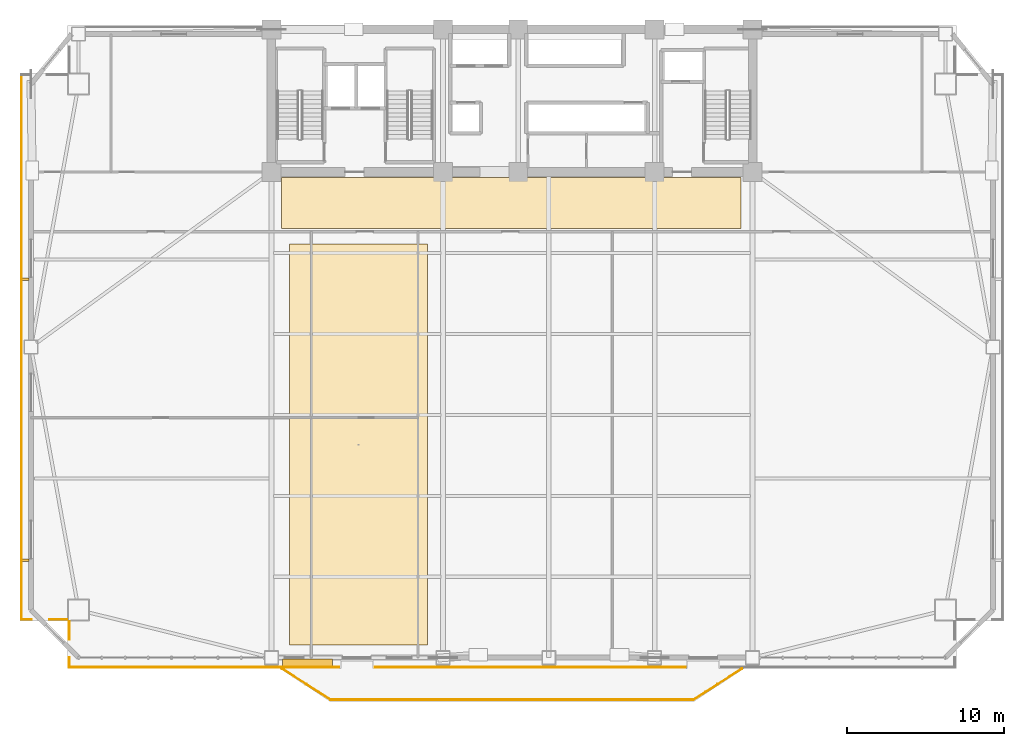
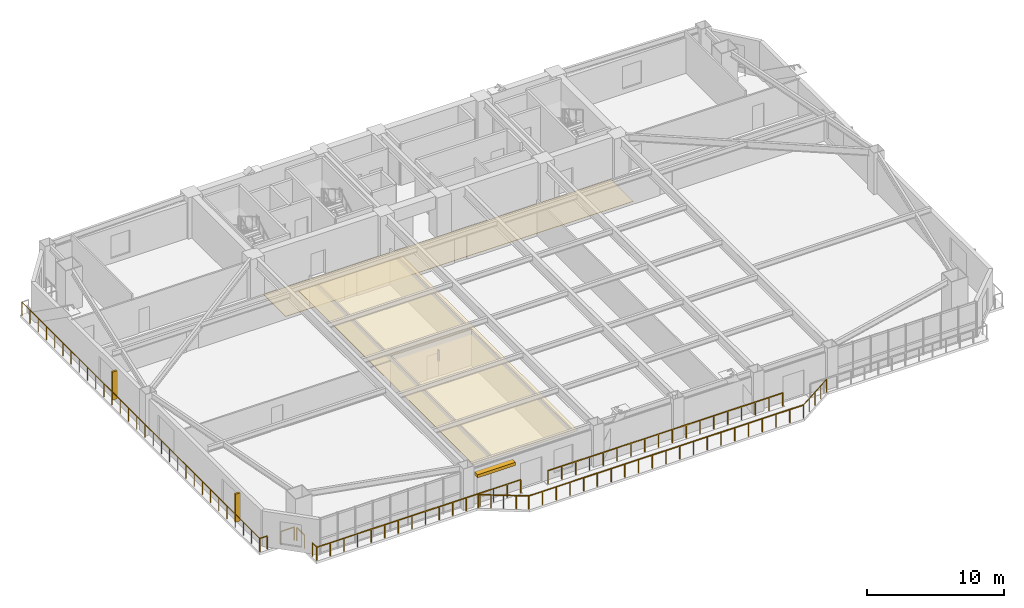
# One storey, part 12 of 15: 10 railings, 3 shading devices, 2 coverings.
"""IFC4 building model written with IfcOpenShell, lengths in metres."""

from ifc_helpers import new_model, si_unit, direction, frame, origin, origin_2d, place, context, subcontext, project, spatial, polyline, rectangle, outline, extrude, source, transform, mapped, material, layer, layer_set, type_object, element, save


model = new_model("IFC4")

# Units and contexts
model_context = context("Model", 3, precision=1e-05, world=origin(), true_north=direction((0.0, 1.0)))
body_context = subcontext(model_context, "Body", "Model", "MODEL_VIEW")
ifc_project = project(units=[si_unit("LENGTHUNIT", "METRE"), si_unit("AREAUNIT", "SQUARE_METRE"), si_unit("VOLUMEUNIT", "CUBIC_METRE"), si_unit("PLANEANGLEUNIT", "RADIAN"), si_unit("MASSUNIT", "GRAM", prefix="KILO")], contexts=[model_context])

# Site, building, storey
site_placement = place(None, origin())
site = spatial("IfcSite", under=ifc_project, at=site_placement, CompositionType="ELEMENT")
building_placement = place(site_placement, origin())
building = spatial("IfcBuilding", under=site, at=building_placement, Name="Giltprow Tower", CompositionType="ELEMENT")
storey_placement = place(building_placement, frame((0.0, 0.0, 99.699951171875)))
storey = spatial("IfcBuildingStorey", under=building, at=storey_placement, Name="L24", CompositionType="ELEMENT", Elevation=99.699951171875)

# Coverings
ifc_material_1 = material(Name="Acoustic mineral fibre", Category="gypsum")
ifc_layer_1 = layer(ifc_material_1, 0.030029296875, Name="Acoustic mineral fibre")
ifc_layer_set_1 = layer_set([ifc_layer_1], Name="Acoustic mineral fibre")
covering_type_1 = type_object("IfcCoveringType", Name="COV-CLG-ACOUSTIC", PredefinedType="CEILING", material=ifc_layer_set_1)
covering_1_placement = place(storey_placement, frame((0.0, 0.0, 2.719970703125)))
element("IfcCovering", 1, at=covering_1_placement, inside=storey, type_object=covering_type_1, Name="L24 Office Acoustic Ceiling", PredefinedType="CEILING", context=body_context, shape_type="SweptSolid", body=[
    extrude(outline(polyline([(21.0, 7.261962890625), (29.800048828125, 7.261962890625), (29.800048828125, 32.85009765625), (21.0, 32.85009765625), (21.0, 7.261962890625)])), origin(), (0.0, 0.0, 1.0), 0.030029296875),
])
ifc_material_2 = material(Name="Honed granite", Category="masonry")
ifc_layer_2 = layer(ifc_material_2, 0.030029296875, Name="Honed granite")
ifc_layer_set_2 = layer_set([ifc_layer_2], Name="Honed granite")
covering_type_2 = type_object("IfcCoveringType", Name="COV-FLR-STONE", PredefinedType="FLOORING", material=ifc_layer_set_2)
covering_2_placement = place(storey_placement, origin())
element("IfcCovering", 2, at=covering_2_placement, inside=storey, type_object=covering_type_2, Name="L24 Office Corridor Stone Flooring", PredefinedType="FLOORING", context=body_context, shape_type="SweptSolid", body=[
    extrude(outline(polyline([(20.5, 33.85009765625), (49.800048828125, 33.85009765625), (49.800048828125, 37.10009765625), (20.5, 37.10009765625), (20.5, 33.85009765625)])), origin(), (0.0, 0.0, 1.0), 0.030029296875),
])

# Railings
ifc_material_3 = material(Name="Anodized bronze", Category="metal")
railing_type = type_object("IfcRailingType", Name="RAIL-BALC-GUARD-1200", PredefinedType="BALUSTRADE", material=ifc_material_3)
railing_1_placement = place(storey_placement, frame((20.52001953125, 5.761962890625, 0.0)))
element("IfcRailing", 3, at=railing_1_placement, inside=storey, type_object=railing_type, Name="L24 Waterfront Balcony Balustrade Seg 1", PredefinedType="BALUSTRADE", context=body_context, shape_type="SweptSolid", body=[
    extrude(rectangle(XDim=0.048095703125, YDim=0.048095703125, at=origin_2d()), frame((0.0, 0.0, 1.17578125), z_axis=(0.84277487735, -0.538266203757, 0.0), x_axis=(0.538266203757, 0.84277487735, 0.0)), (0.0, 0.0, 1.0), 3.678466796875),
    extrude(rectangle(XDim=0.0419921875, YDim=0.0419921875, at=origin_2d()), origin(), (0.0, 0.0, 1.0), 1.15185546875),
    extrude(rectangle(XDim=0.0419921875, YDim=0.0419921875, at=origin_2d()), frame((0.77490234375, -0.4951171875, 0.0)), (0.0, 0.0, 1.0), 1.15185546875),
    extrude(rectangle(XDim=0.0419921875, YDim=0.0419921875, at=origin_2d()), frame((1.550048828125, -0.989990234375, 0.0)), (0.0, 0.0, 1.0), 1.15185546875),
    extrude(rectangle(XDim=0.0419921875, YDim=0.0419921875, at=origin_2d()), frame((2.3251953125, -1.48486328125, 0.0)), (0.0, 0.0, 1.0), 1.15185546875),
    extrude(rectangle(XDim=0.0419921875, YDim=0.0419921875, at=origin_2d()), frame((3.10009765625, -1.97998046875, 0.0)), (0.0, 0.0, 1.0), 1.15185546875),
])
railing_2_placement = place(storey_placement, frame((23.6201171875, 3.781982421875, 0.0)))
element("IfcRailing", 4, at=railing_2_placement, inside=storey, type_object=railing_type, Name="L24 Waterfront Balcony Balustrade Seg 2", PredefinedType="BALUSTRADE", context=body_context, shape_type="SweptSolid", body=[
    extrude(rectangle(XDim=0.048095703125, YDim=0.048095703125, at=origin_2d()), frame((0.0, 0.0, 1.17578125), z_axis=(1.0, 0.0, 0.0), x_axis=(0.0, 1.0, 0.0)), (0.0, 0.0, 1.0), 23.159912109375),
    extrude(rectangle(XDim=0.0419921875, YDim=0.0419921875, at=origin_2d()), origin(), (0.0, 0.0, 1.0), 1.15185546875),
    extrude(rectangle(XDim=0.0419921875, YDim=0.0419921875, at=origin_2d()), frame((1.157958984375, 0.0, 0.0)), (0.0, 0.0, 1.0), 1.15185546875),
    extrude(rectangle(XDim=0.0419921875, YDim=0.0419921875, at=origin_2d()), frame((2.31591796875, 0.0, 0.0)), (0.0, 0.0, 1.0), 1.15185546875),
    extrude(rectangle(XDim=0.0419921875, YDim=0.0419921875, at=origin_2d()), frame((3.473876953125, 0.0, 0.0)), (0.0, 0.0, 1.0), 1.15185546875),
    extrude(rectangle(XDim=0.0419921875, YDim=0.0419921875, at=origin_2d()), frame((4.632080078125, 0.0, 0.0)), (0.0, 0.0, 1.0), 1.15185546875),
    extrude(rectangle(XDim=0.0419921875, YDim=0.0419921875, at=origin_2d()), frame((5.7900390625, 0.0, 0.0)), (0.0, 0.0, 1.0), 1.15185546875),
    extrude(rectangle(XDim=0.0419921875, YDim=0.0419921875, at=origin_2d()), frame((6.947998046875, 0.0, 0.0)), (0.0, 0.0, 1.0), 1.15185546875),
    extrude(rectangle(XDim=0.0419921875, YDim=0.0419921875, at=origin_2d()), frame((8.10595703125, 0.0, 0.0)), (0.0, 0.0, 1.0), 1.15185546875),
    extrude(rectangle(XDim=0.0419921875, YDim=0.0419921875, at=origin_2d()), frame((9.263916015625, 0.0, 0.0)), (0.0, 0.0, 1.0), 1.15185546875),
    extrude(rectangle(XDim=0.0419921875, YDim=0.0419921875, at=origin_2d()), frame((10.421875, 0.0, 0.0)), (0.0, 0.0, 1.0), 1.15185546875),
    extrude(rectangle(XDim=0.0419921875, YDim=0.0419921875, at=origin_2d()), frame((11.580078125, 0.0, 0.0)), (0.0, 0.0, 1.0), 1.15185546875),
    extrude(rectangle(XDim=0.0419921875, YDim=0.0419921875, at=origin_2d()), frame((12.738037109375, 0.0, 0.0)), (0.0, 0.0, 1.0), 1.15185546875),
    extrude(rectangle(XDim=0.0419921875, YDim=0.0419921875, at=origin_2d()), frame((13.89599609375, 0.0, 0.0)), (0.0, 0.0, 1.0), 1.15185546875),
    extrude(rectangle(XDim=0.0419921875, YDim=0.0419921875, at=origin_2d()), frame((15.053955078125, 0.0, 0.0)), (0.0, 0.0, 1.0), 1.15185546875),
    extrude(rectangle(XDim=0.0419921875, YDim=0.0419921875, at=origin_2d()), frame((16.2119140625, 0.0, 0.0)), (0.0, 0.0, 1.0), 1.15185546875),
    extrude(rectangle(XDim=0.0419921875, YDim=0.0419921875, at=origin_2d()), frame((17.369873046875, 0.0, 0.0)), (0.0, 0.0, 1.0), 1.15185546875),
    extrude(rectangle(XDim=0.0419921875, YDim=0.0419921875, at=origin_2d()), frame((18.52783203125, 0.0, 0.0)), (0.0, 0.0, 1.0), 1.15185546875),
    extrude(rectangle(XDim=0.0419921875, YDim=0.0419921875, at=origin_2d()), frame((19.68603515625, 0.0, 0.0)), (0.0, 0.0, 1.0), 1.15185546875),
    extrude(rectangle(XDim=0.0419921875, YDim=0.0419921875, at=origin_2d()), frame((20.843994140625, 0.0, 0.0)), (0.0, 0.0, 1.0), 1.15185546875),
    extrude(rectangle(XDim=0.0419921875, YDim=0.0419921875, at=origin_2d()), frame((22.001953125, 0.0, 0.0)), (0.0, 0.0, 1.0), 1.15185546875),
    extrude(rectangle(XDim=0.0419921875, YDim=0.0419921875, at=origin_2d()), frame((23.159912109375, 0.0, 0.0)), (0.0, 0.0, 1.0), 1.15185546875),
])
railing_3_placement = place(storey_placement, frame((46.780029296875, 3.781982421875, 0.0)))
element("IfcRailing", 5, at=railing_3_placement, inside=storey, type_object=railing_type, Name="L24 Waterfront Balcony Balustrade Seg 3", PredefinedType="BALUSTRADE", context=body_context, shape_type="SweptSolid", body=[
    extrude(rectangle(XDim=0.048095703125, YDim=0.048095703125, at=origin_2d()), frame((0.0, 0.0, 1.17578125), z_axis=(0.842755646126, 0.538296313309, 0.0), x_axis=(-0.538296313309, 0.842755646126, 0.0)), (0.0, 0.0, 1.0), 3.67822265625),
    extrude(rectangle(XDim=0.0419921875, YDim=0.0419921875, at=origin_2d()), origin(), (0.0, 0.0, 1.0), 1.15185546875),
    extrude(rectangle(XDim=0.0419921875, YDim=0.0419921875, at=origin_2d()), frame((0.77490234375, 0.4951171875, 0.0)), (0.0, 0.0, 1.0), 1.15185546875),
    extrude(rectangle(XDim=0.0419921875, YDim=0.0419921875, at=origin_2d()), frame((1.5498046875, 0.989990234375, 0.0)), (0.0, 0.0, 1.0), 1.15185546875),
    extrude(rectangle(XDim=0.0419921875, YDim=0.0419921875, at=origin_2d()), frame((2.324951171875, 1.48486328125, 0.0)), (0.0, 0.0, 1.0), 1.15185546875),
    extrude(rectangle(XDim=0.0419921875, YDim=0.0419921875, at=origin_2d()), frame((3.099853515625, 1.97998046875, 0.0)), (0.0, 0.0, 1.0), 1.15185546875),
])
railing_4_placement = place(storey_placement, frame((6.952880859375, 5.862060546875, 0.0)))
element("IfcRailing", 6, at=railing_4_placement, inside=storey, type_object=railing_type, Name="L24 Corner Apron Edge Balustrade 1", PredefinedType="BALUSTRADE", context=body_context, shape_type="SweptSolid", body=[
    extrude(rectangle(XDim=0.048095703125, YDim=0.048095703125, at=origin_2d()), frame((0.0, 0.0, 1.17578125), z_axis=(0.0, 1.0, 0.0), x_axis=(-1.0, 0.0, 0.0)), (0.0, 0.0, 1.0), 0.619873046875),
    extrude(rectangle(XDim=0.0419921875, YDim=0.0419921875, at=origin_2d()), origin(), (0.0, 0.0, 1.0), 1.15185546875),
    extrude(rectangle(XDim=0.0419921875, YDim=0.0419921875, at=origin_2d()), frame((0.0, 0.619873046875, 0.0)), (0.0, 0.0, 1.0), 1.15185546875),
])
railing_5_placement = place(storey_placement, frame((6.952880859375, 7.64208984375, 0.0)))
element("IfcRailing", 7, at=railing_5_placement, inside=storey, type_object=railing_type, Name="L24 Corner Apron Edge Balustrade 2", PredefinedType="BALUSTRADE", context=body_context, shape_type="SweptSolid", body=[
    extrude(rectangle(XDim=0.048095703125, YDim=0.048095703125, at=origin_2d()), frame((0.0, 0.0, 1.17578125), z_axis=(0.0, 1.0, 0.0), x_axis=(-1.0, 0.0, 0.0)), (0.0, 0.0, 1.0), 1.1279296875),
    extrude(rectangle(XDim=0.0419921875, YDim=0.0419921875, at=origin_2d()), origin(), (0.0, 0.0, 1.0), 1.15185546875),
    extrude(rectangle(XDim=0.0419921875, YDim=0.0419921875, at=origin_2d()), frame((0.0, 1.1279296875, 0.0)), (0.0, 0.0, 1.0), 1.15185546875),
])
railing_6_placement = place(storey_placement, frame((6.818115234375, 8.905029296875, 0.0)))
element("IfcRailing", 8, at=railing_6_placement, inside=storey, type_object=railing_type, Name="L24 Corner Apron Edge Balustrade 3", PredefinedType="BALUSTRADE", context=body_context, shape_type="SweptSolid", body=[
    extrude(rectangle(XDim=0.048095703125, YDim=0.048095703125, at=origin_2d()), frame((0.0, 0.0, 1.17578125), z_axis=(-1.0, 0.0, 0.0), x_axis=(0.0, -1.0, 0.0)), (0.0, 0.0, 1.0), 1.128173828125),
    extrude(rectangle(XDim=0.0419921875, YDim=0.0419921875, at=origin_2d()), origin(), (0.0, 0.0, 1.0), 1.15185546875),
    extrude(rectangle(XDim=0.0419921875, YDim=0.0419921875, at=origin_2d()), frame((-1.128173828125, 0.0, 0.0)), (0.0, 0.0, 1.0), 1.15185546875),
])
railing_7_placement = place(storey_placement, frame((4.530029296875, 8.905029296875, 0.0)))
element("IfcRailing", 9, at=railing_7_placement, inside=storey, type_object=railing_type, Name="L24 Corner Apron Edge Balustrade 4", PredefinedType="BALUSTRADE", context=body_context, shape_type="SweptSolid", body=[
    extrude(rectangle(XDim=0.048095703125, YDim=0.048095703125, at=origin_2d()), frame((0.0, 0.0, 1.17578125), z_axis=(-1.0, 0.0, 0.0), x_axis=(0.0, -1.0, 0.0)), (0.0, 0.0, 1.0), 0.6201171875),
    extrude(rectangle(XDim=0.0419921875, YDim=0.0419921875, at=origin_2d()), origin(), (0.0, 0.0, 1.0), 1.15185546875),
    extrude(rectangle(XDim=0.0419921875, YDim=0.0419921875, at=origin_2d()), frame((-0.6201171875, 0.0, 0.0)), (0.0, 0.0, 1.0), 1.15185546875),
])
railing_8_placement = place(storey_placement, frame((3.909912109375, 8.905029296875, 0.0)))
element("IfcRailing", 10, at=railing_8_placement, inside=storey, type_object=railing_type, Name="L24 Corner Apron Edge Balustrade 5", PredefinedType="BALUSTRADE", context=body_context, shape_type="SweptSolid", body=[
    extrude(rectangle(XDim=0.048095703125, YDim=0.048095703125, at=origin_2d()), frame((0.0, 0.0, 1.17578125), z_axis=(0.0, 1.0, 0.0), x_axis=(-1.0, 0.0, 0.0)), (0.0, 0.0, 1.0), 34.7509765625),
    extrude(rectangle(XDim=0.0419921875, YDim=0.0419921875, at=origin_2d()), origin(), (0.0, 0.0, 1.0), 1.15185546875),
    extrude(rectangle(XDim=0.0419921875, YDim=0.0419921875, at=origin_2d()), frame((0.0, 1.1982421875, 0.0)), (0.0, 0.0, 1.0), 1.15185546875),
    extrude(rectangle(XDim=0.0419921875, YDim=0.0419921875, at=origin_2d()), frame((0.0, 2.396728515625, 0.0)), (0.0, 0.0, 1.0), 1.15185546875),
    extrude(rectangle(XDim=0.0419921875, YDim=0.0419921875, at=origin_2d()), frame((0.0, 3.594970703125, 0.0)), (0.0, 0.0, 1.0), 1.15185546875),
    extrude(rectangle(XDim=0.0419921875, YDim=0.0419921875, at=origin_2d()), frame((0.0, 4.793212890625, 0.0)), (0.0, 0.0, 1.0), 1.15185546875),
    extrude(rectangle(XDim=0.0419921875, YDim=0.0419921875, at=origin_2d()), frame((0.0, 5.991455078125, 0.0)), (0.0, 0.0, 1.0), 1.15185546875),
    extrude(rectangle(XDim=0.0419921875, YDim=0.0419921875, at=origin_2d()), frame((0.0, 7.18994140625, 0.0)), (0.0, 0.0, 1.0), 1.15185546875),
    extrude(rectangle(XDim=0.0419921875, YDim=0.0419921875, at=origin_2d()), frame((0.0, 8.38818359375, 0.0)), (0.0, 0.0, 1.0), 1.15185546875),
    extrude(rectangle(XDim=0.0419921875, YDim=0.0419921875, at=origin_2d()), frame((0.0, 9.58642578125, 0.0)), (0.0, 0.0, 1.0), 1.15185546875),
    extrude(rectangle(XDim=0.0419921875, YDim=0.0419921875, at=origin_2d()), frame((0.0, 10.78466796875, 0.0)), (0.0, 0.0, 1.0), 1.15185546875),
    extrude(rectangle(XDim=0.0419921875, YDim=0.0419921875, at=origin_2d()), frame((0.0, 11.983154296875, 0.0)), (0.0, 0.0, 1.0), 1.15185546875),
    extrude(rectangle(XDim=0.0419921875, YDim=0.0419921875, at=origin_2d()), frame((0.0, 13.181396484375, 0.0)), (0.0, 0.0, 1.0), 1.15185546875),
    extrude(rectangle(XDim=0.0419921875, YDim=0.0419921875, at=origin_2d()), frame((0.0, 14.379638671875, 0.0)), (0.0, 0.0, 1.0), 1.15185546875),
    extrude(rectangle(XDim=0.0419921875, YDim=0.0419921875, at=origin_2d()), frame((0.0, 15.578125, 0.0)), (0.0, 0.0, 1.0), 1.15185546875),
    extrude(rectangle(XDim=0.0419921875, YDim=0.0419921875, at=origin_2d()), frame((0.0, 16.7763671875, 0.0)), (0.0, 0.0, 1.0), 1.15185546875),
    extrude(rectangle(XDim=0.0419921875, YDim=0.0419921875, at=origin_2d()), frame((0.0, 17.974609375, 0.0)), (0.0, 0.0, 1.0), 1.15185546875),
    extrude(rectangle(XDim=0.0419921875, YDim=0.0419921875, at=origin_2d()), frame((0.0, 19.1728515625, 0.0)), (0.0, 0.0, 1.0), 1.15185546875),
    extrude(rectangle(XDim=0.0419921875, YDim=0.0419921875, at=origin_2d()), frame((0.0, 20.371337890625, 0.0)), (0.0, 0.0, 1.0), 1.15185546875),
    extrude(rectangle(XDim=0.0419921875, YDim=0.0419921875, at=origin_2d()), frame((0.0, 21.569580078125, 0.0)), (0.0, 0.0, 1.0), 1.15185546875),
    extrude(rectangle(XDim=0.0419921875, YDim=0.0419921875, at=origin_2d()), frame((0.0, 22.767822265625, 0.0)), (0.0, 0.0, 1.0), 1.15185546875),
    extrude(rectangle(XDim=0.0419921875, YDim=0.0419921875, at=origin_2d()), frame((0.0, 23.96630859375, 0.0)), (0.0, 0.0, 1.0), 1.15185546875),
    extrude(rectangle(XDim=0.0419921875, YDim=0.0419921875, at=origin_2d()), frame((0.0, 25.16455078125, 0.0)), (0.0, 0.0, 1.0), 1.15185546875),
    extrude(rectangle(XDim=0.0419921875, YDim=0.0419921875, at=origin_2d()), frame((0.0, 26.36279296875, 0.0)), (0.0, 0.0, 1.0), 1.15185546875),
    extrude(rectangle(XDim=0.0419921875, YDim=0.0419921875, at=origin_2d()), frame((0.0, 27.56103515625, 0.0)), (0.0, 0.0, 1.0), 1.15185546875),
    extrude(rectangle(XDim=0.0419921875, YDim=0.0419921875, at=origin_2d()), frame((0.0, 28.759521484375, 0.0)), (0.0, 0.0, 1.0), 1.15185546875),
    extrude(rectangle(XDim=0.0419921875, YDim=0.0419921875, at=origin_2d()), frame((0.0, 29.957763671875, 0.0)), (0.0, 0.0, 1.0), 1.15185546875),
    extrude(rectangle(XDim=0.0419921875, YDim=0.0419921875, at=origin_2d()), frame((0.0, 31.156005859375, 0.0)), (0.0, 0.0, 1.0), 1.15185546875),
    extrude(rectangle(XDim=0.0419921875, YDim=0.0419921875, at=origin_2d()), frame((0.0, 32.354248046875, 0.0)), (0.0, 0.0, 1.0), 1.15185546875),
    extrude(rectangle(XDim=0.0419921875, YDim=0.0419921875, at=origin_2d()), frame((0.0, 33.552734375, 0.0)), (0.0, 0.0, 1.0), 1.15185546875),
    extrude(rectangle(XDim=0.0419921875, YDim=0.0419921875, at=origin_2d()), frame((0.0, 34.7509765625, 0.0)), (0.0, 0.0, 1.0), 1.15185546875),
])
railing_9_placement = place(storey_placement, frame((46.25, 5.862060546875, 0.0)))
element("IfcRailing", 11, at=railing_9_placement, inside=storey, type_object=railing_type, Name="L24 Corner Apron Edge Balustrade 20", PredefinedType="BALUSTRADE", context=body_context, shape_type="SweptSolid", body=[
    extrude(rectangle(XDim=0.048095703125, YDim=0.048095703125, at=origin_2d()), frame((0.0, 0.0, 1.17578125), z_axis=(-1.0, 0.0, 0.0), x_axis=(0.0, -1.0, 0.0)), (0.0, 0.0, 1.0), 19.800048828125),
    extrude(rectangle(XDim=0.0419921875, YDim=0.0419921875, at=origin_2d()), origin(), (0.0, 0.0, 1.0), 1.15185546875),
    extrude(rectangle(XDim=0.0419921875, YDim=0.0419921875, at=origin_2d()), frame((-1.164794921875, 0.0, 0.0)), (0.0, 0.0, 1.0), 1.15185546875),
    extrude(rectangle(XDim=0.0419921875, YDim=0.0419921875, at=origin_2d()), frame((-2.329345703125, 0.0, 0.0)), (0.0, 0.0, 1.0), 1.15185546875),
    extrude(rectangle(XDim=0.0419921875, YDim=0.0419921875, at=origin_2d()), frame((-3.494140625, 0.0, 0.0)), (0.0, 0.0, 1.0), 1.15185546875),
    extrude(rectangle(XDim=0.0419921875, YDim=0.0419921875, at=origin_2d()), frame((-4.658935546875, 0.0, 0.0)), (0.0, 0.0, 1.0), 1.15185546875),
    extrude(rectangle(XDim=0.0419921875, YDim=0.0419921875, at=origin_2d()), frame((-5.823486328125, 0.0, 0.0)), (0.0, 0.0, 1.0), 1.15185546875),
    extrude(rectangle(XDim=0.0419921875, YDim=0.0419921875, at=origin_2d()), frame((-6.98828125, 0.0, 0.0)), (0.0, 0.0, 1.0), 1.15185546875),
    extrude(rectangle(XDim=0.0419921875, YDim=0.0419921875, at=origin_2d()), frame((-8.153076171875, 0.0, 0.0)), (0.0, 0.0, 1.0), 1.15185546875),
    extrude(rectangle(XDim=0.0419921875, YDim=0.0419921875, at=origin_2d()), frame((-9.317626953125, 0.0, 0.0)), (0.0, 0.0, 1.0), 1.15185546875),
    extrude(rectangle(XDim=0.0419921875, YDim=0.0419921875, at=origin_2d()), frame((-10.482421875, 0.0, 0.0)), (0.0, 0.0, 1.0), 1.15185546875),
    extrude(rectangle(XDim=0.0419921875, YDim=0.0419921875, at=origin_2d()), frame((-11.64697265625, 0.0, 0.0)), (0.0, 0.0, 1.0), 1.15185546875),
    extrude(rectangle(XDim=0.0419921875, YDim=0.0419921875, at=origin_2d()), frame((-12.811767578125, 0.0, 0.0)), (0.0, 0.0, 1.0), 1.15185546875),
    extrude(rectangle(XDim=0.0419921875, YDim=0.0419921875, at=origin_2d()), frame((-13.9765625, 0.0, 0.0)), (0.0, 0.0, 1.0), 1.15185546875),
    extrude(rectangle(XDim=0.0419921875, YDim=0.0419921875, at=origin_2d()), frame((-15.14111328125, 0.0, 0.0)), (0.0, 0.0, 1.0), 1.15185546875),
    extrude(rectangle(XDim=0.0419921875, YDim=0.0419921875, at=origin_2d()), frame((-16.305908203125, 0.0, 0.0)), (0.0, 0.0, 1.0), 1.15185546875),
    extrude(rectangle(XDim=0.0419921875, YDim=0.0419921875, at=origin_2d()), frame((-17.470703125, 0.0, 0.0)), (0.0, 0.0, 1.0), 1.15185546875),
    extrude(rectangle(XDim=0.0419921875, YDim=0.0419921875, at=origin_2d()), frame((-18.63525390625, 0.0, 0.0)), (0.0, 0.0, 1.0), 1.15185546875),
    extrude(rectangle(XDim=0.0419921875, YDim=0.0419921875, at=origin_2d()), frame((-19.800048828125, 0.0, 0.0)), (0.0, 0.0, 1.0), 1.15185546875),
])
railing_10_placement = place(storey_placement, frame((24.14990234375, 5.862060546875, 0.0)))
element("IfcRailing", 12, at=railing_10_placement, inside=storey, type_object=railing_type, Name="L24 Corner Apron Edge Balustrade 21", PredefinedType="BALUSTRADE", context=body_context, shape_type="SweptSolid", body=[
    extrude(rectangle(XDim=0.048095703125, YDim=0.048095703125, at=origin_2d()), frame((0.0, 0.0, 1.17578125), z_axis=(-1.0, 0.0, 0.0), x_axis=(0.0, -1.0, 0.0)), (0.0, 0.0, 1.0), 17.197021484375),
    extrude(rectangle(XDim=0.0419921875, YDim=0.0419921875, at=origin_2d()), origin(), (0.0, 0.0, 1.0), 1.15185546875),
    extrude(rectangle(XDim=0.0419921875, YDim=0.0419921875, at=origin_2d()), frame((-1.146484375, 0.0, 0.0)), (0.0, 0.0, 1.0), 1.15185546875),
    extrude(rectangle(XDim=0.0419921875, YDim=0.0419921875, at=origin_2d()), frame((-2.29296875, 0.0, 0.0)), (0.0, 0.0, 1.0), 1.15185546875),
    extrude(rectangle(XDim=0.0419921875, YDim=0.0419921875, at=origin_2d()), frame((-3.439453125, 0.0, 0.0)), (0.0, 0.0, 1.0), 1.15185546875),
    extrude(rectangle(XDim=0.0419921875, YDim=0.0419921875, at=origin_2d()), frame((-4.5859375, 0.0, 0.0)), (0.0, 0.0, 1.0), 1.15185546875),
    extrude(rectangle(XDim=0.0419921875, YDim=0.0419921875, at=origin_2d()), frame((-5.732421875, 0.0, 0.0)), (0.0, 0.0, 1.0), 1.15185546875),
    extrude(rectangle(XDim=0.0419921875, YDim=0.0419921875, at=origin_2d()), frame((-6.87890625, 0.0, 0.0)), (0.0, 0.0, 1.0), 1.15185546875),
    extrude(rectangle(XDim=0.0419921875, YDim=0.0419921875, at=origin_2d()), frame((-8.025390625, 0.0, 0.0)), (0.0, 0.0, 1.0), 1.15185546875),
    extrude(rectangle(XDim=0.0419921875, YDim=0.0419921875, at=origin_2d()), frame((-9.171630859375, 0.0, 0.0)), (0.0, 0.0, 1.0), 1.15185546875),
    extrude(rectangle(XDim=0.0419921875, YDim=0.0419921875, at=origin_2d()), frame((-10.318115234375, 0.0, 0.0)), (0.0, 0.0, 1.0), 1.15185546875),
    extrude(rectangle(XDim=0.0419921875, YDim=0.0419921875, at=origin_2d()), frame((-11.464599609375, 0.0, 0.0)), (0.0, 0.0, 1.0), 1.15185546875),
    extrude(rectangle(XDim=0.0419921875, YDim=0.0419921875, at=origin_2d()), frame((-12.611083984375, 0.0, 0.0)), (0.0, 0.0, 1.0), 1.15185546875),
    extrude(rectangle(XDim=0.0419921875, YDim=0.0419921875, at=origin_2d()), frame((-13.757568359375, 0.0, 0.0)), (0.0, 0.0, 1.0), 1.15185546875),
    extrude(rectangle(XDim=0.0419921875, YDim=0.0419921875, at=origin_2d()), frame((-14.904052734375, 0.0, 0.0)), (0.0, 0.0, 1.0), 1.15185546875),
    extrude(rectangle(XDim=0.0419921875, YDim=0.0419921875, at=origin_2d()), frame((-16.050537109375, 0.0, 0.0)), (0.0, 0.0, 1.0), 1.15185546875),
    extrude(rectangle(XDim=0.0419921875, YDim=0.0419921875, at=origin_2d()), frame((-17.197021484375, 0.0, 0.0)), (0.0, 0.0, 1.0), 1.15185546875),
])

# Shading devices
shading_device_type_1 = type_object("IfcShadingDeviceType", Name="SHD-FIN-420", PredefinedType="USERDEFINED", material=ifc_material_3)
shared_shape_1 = source(origin(), body_context, "Body", "SweptSolid", [
    extrude(rectangle(XDim=0.419921875, YDim=0.159912109375, at=origin_2d()), origin(), (0.0, 0.0, 1.0), 2.5),
])
for number, where, z_axis, x_axis, name in (
    (13, (4.18994140625, 12.669921875, 0.35009765625), (0.0, 0.0, 1.0), (1.0, 0.0, 0.0), "L24 W Bronze Vertical Fin 1-1"),
    (14, (4.18994140625, 30.62109375, 0.35009765625), (0.0, 0.0, 1.0), (1.0, 0.0, 0.0), "L24 W Bronze Vertical Fin 2-1"),
):
    element("IfcShadingDevice", number, at=place(storey_placement, frame(where, z_axis=z_axis, x_axis=x_axis)), inside=storey, type_object=shading_device_type_1, Name=name, ObjectType="FIN", PredefinedType="USERDEFINED", context=body_context, shape_type="MappedRepresentation", body=[
        mapped(shared_shape_1, transform((0.0, 0.0, 0.0), x_axis=(1.0, 0.0, 0.0), y_axis=(0.0, 1.0, 0.0), z_axis=(0.0, 0.0, 1.0), scale=1.0)),
    ])
shading_device_type_2 = type_object("IfcShadingDeviceType", Name="SHD-LOUVRE-320", PredefinedType="JALOUSIE", material=ifc_material_3)
shared_shape_2 = source(origin(), body_context, "Body", "SweptSolid", [
    extrude(rectangle(XDim=3.199951171875, YDim=0.449951171875, at=origin_2d()), origin(), (0.0, 0.0, 1.0), 0.280029296875),
])
shading_device_placement = place(storey_placement, frame((22.14990234375, 6.14208984375, 2.56005859375), z_axis=(0.0, 0.0, 1.0), x_axis=(1.0, 0.0, 0.0)))
element("IfcShadingDevice", 15, at=shading_device_placement, inside=storey, type_object=shading_device_type_2, Name="L24 Bronze Sunshade Louvre S-2", PredefinedType="JALOUSIE", context=body_context, shape_type="MappedRepresentation", body=[
    mapped(shared_shape_2, transform((0.0, 0.0, 0.0), x_axis=(1.0, 0.0, 0.0), y_axis=(0.0, 1.0, 0.0), z_axis=(0.0, 0.0, 1.0), scale=1.0)),
])

save(model, "model.ifc")
